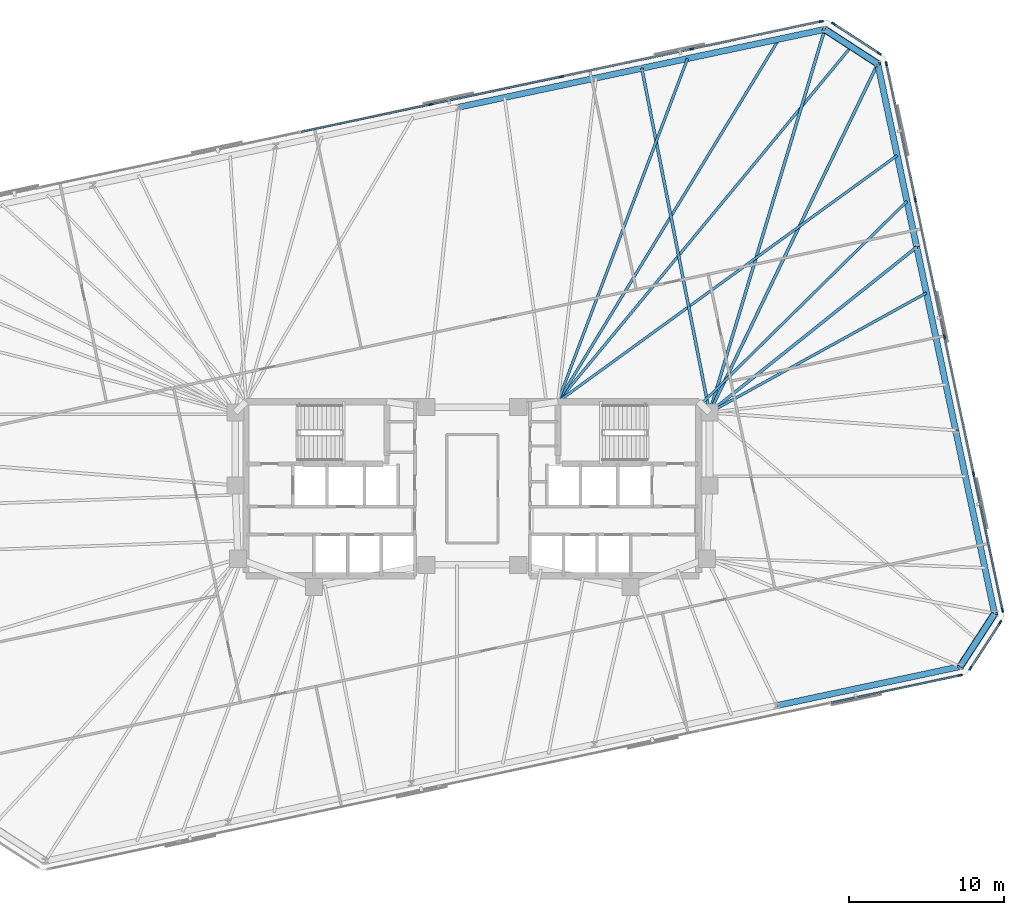
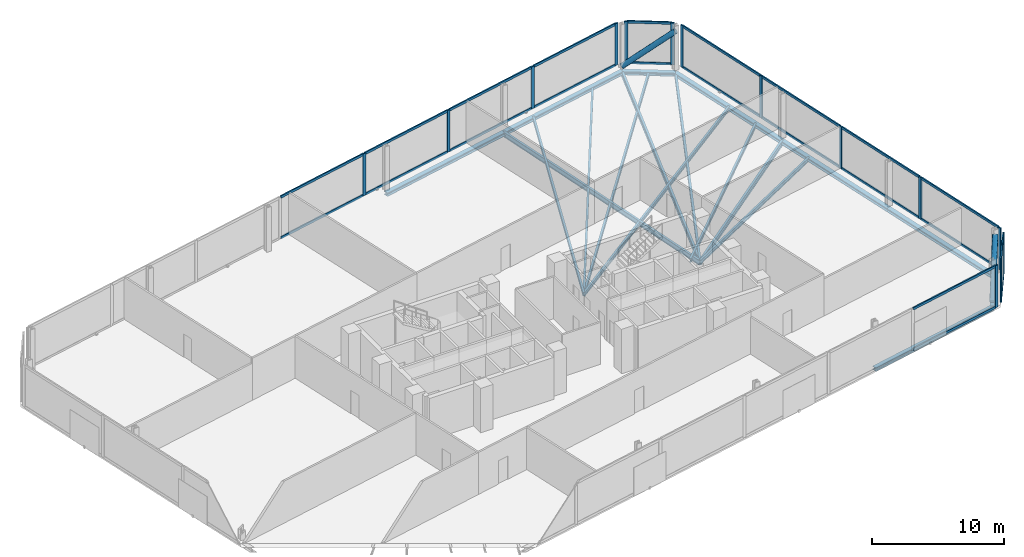
# One storey, part 9 of 15: 38 members, 18 beams, 5 elements without a shape of their own.
"""IFC4 building model written with IfcOpenShell, lengths in metres."""

from ifc_helpers import new_model, si_unit, direction, frame, origin, origin_2d, place, context, subcontext, project, spatial, rectangle, hollow_circle, i_section, extrude, material, material_profile, profile_set, type_object, element, aggregate, save


model = new_model("IFC4")

# Units and contexts
model_context = context("Model", 3, precision=1e-05, world=origin(), true_north=direction((0.0, 1.0)))
body_context = subcontext(model_context, "Body", "Model", "MODEL_VIEW")
ifc_project = project(units=[si_unit("LENGTHUNIT", "METRE"), si_unit("AREAUNIT", "SQUARE_METRE"), si_unit("VOLUMEUNIT", "CUBIC_METRE"), si_unit("PLANEANGLEUNIT", "RADIAN"), si_unit("MASSUNIT", "GRAM", prefix="KILO")], contexts=[model_context])

# Site, building, storey
site_placement = place(None, origin())
site = spatial("IfcSite", under=ifc_project, at=site_placement, CompositionType="ELEMENT")
building_placement = place(site_placement, origin())
building = spatial("IfcBuilding", under=site, at=building_placement, Name="Menara Jurai Vektor", CompositionType="ELEMENT")
storey_placement = place(building_placement, frame((0.0, 0.0, 147.300048828125)))
storey = spatial("IfcBuildingStorey", under=building, at=storey_placement, Name="L37", CompositionType="ELEMENT", Elevation=147.300048828125)

# Curtain wall, member
ifc_material_1 = material(Name="Anodised Pale Aluminium & Low-E Double Glazing", Category="aluminium")
curtain_wall_type = type_object("IfcCurtainWallType", Name="CW-SKY", PredefinedType="NOTDEFINED", material=ifc_material_1)
curtain_wall_1_placement = place(storey_placement, origin())
curtain_wall_1 = element("IfcCurtainWall", 1, at=curtain_wall_1_placement, inside=storey, type_object=curtain_wall_type, Name="Unitised Curtain Wall L37 F01", PredefinedType="NOTDEFINED")
ifc_material_2 = material(Name="Anodised Pale Aluminium Mullion", Category="aluminium")
ifc_material_profile_1 = material_profile(ifc_material_2, rectangle(XDim=0.110107421875, YDim=0.280029296875, at=origin_2d()), Name="ALU MUL 110x280")
ifc_profile_set_1 = profile_set([ifc_material_profile_1], Name="Anodised Pale Aluminium Mullion")
member_type_1 = type_object("IfcMemberType", Name="CW-SKY-MUL", PredefinedType="MULLION", material=ifc_profile_set_1)
member_1_placement = place(storey_placement, frame((31.38037109375, -12.000244140625, 0.0), z_axis=(0.0, 0.0, 1.0), x_axis=(-0.207911344156, 0.978147674419, 0.0)))
member_1 = element("IfcMember", 2, at=member_1_placement, type_object=member_type_1, Name="CW-06 mullion 8", PredefinedType="MULLION", context=body_context, shape_type="SweptSolid", body=[
    extrude(rectangle(XDim=0.110107421875, YDim=0.280029296875, at=origin_2d()), origin(), (0.0, 0.0, 1.0), 3.875),
])

# Curtain wall, members
curtain_wall_2_placement = place(storey_placement, origin())
curtain_wall_2 = element("IfcCurtainWall", 3, at=curtain_wall_2_placement, inside=storey, type_object=curtain_wall_type, Name="Unitised Curtain Wall L37 F02", PredefinedType="NOTDEFINED")
member_2_placement = place(storey_placement, frame((32.042724609375, -11.544921875, 0.0), z_axis=(0.0, 0.0, 1.0), x_axis=(-0.838684361415, 0.544617794346, 0.0)))
member_2 = element("IfcMember", 4, at=member_2_placement, type_object=member_type_1, Name="CW-06 mullion 1", PredefinedType="MULLION", context=body_context, shape_type="SweptSolid", body=[
    extrude(rectangle(XDim=0.110107421875, YDim=0.280029296875, at=origin_2d()), origin(), (0.0, 0.0, 1.0), 3.875),
])
member_3_placement = place(storey_placement, frame((33.95654296875, -8.59765625, 0.0), z_axis=(0.0, 0.0, 1.0), x_axis=(-0.838684361415, 0.544617794346, 0.0)))
member_3 = element("IfcMember", 5, at=member_3_placement, type_object=member_type_1, Name="CW-06 mullion 2", PredefinedType="MULLION", context=body_context, shape_type="SweptSolid", body=[
    extrude(rectangle(XDim=0.110107421875, YDim=0.280029296875, at=origin_2d()), origin(), (0.0, 0.0, 1.0), 3.875),
])

curtain_wall_3_placement = place(storey_placement, origin())
curtain_wall_3 = element("IfcCurtainWall", 6, at=curtain_wall_3_placement, inside=storey, type_object=curtain_wall_type, Name="Unitised Curtain Wall L37 F03", PredefinedType="NOTDEFINED")
member_4_placement = place(storey_placement, frame((34.10302734375, -7.807373046875, 0.0), z_axis=(0.0, 0.0, 1.0), x_axis=(-0.978147883949, -0.20791035839, 0.0)))
member_4 = element("IfcMember", 7, at=member_4_placement, type_object=member_type_1, Name="CW-06 mullion 1", PredefinedType="MULLION", context=body_context, shape_type="SweptSolid", body=[
    extrude(rectangle(XDim=0.110107421875, YDim=0.280029296875, at=origin_2d()), origin(), (0.0, 0.0, 1.0), 3.875),
])
member_5_placement = place(storey_placement, frame((32.2412109375, 0.951904296875, 0.0), z_axis=(0.0, 0.0, 1.0), x_axis=(-0.978147883949, -0.20791035839, 0.0)))
member_5 = element("IfcMember", 8, at=member_5_placement, type_object=member_type_1, Name="CW-06 mullion 2", PredefinedType="MULLION", context=body_context, shape_type="SweptSolid", body=[
    extrude(rectangle(XDim=0.110107421875, YDim=0.280029296875, at=origin_2d()), origin(), (0.0, 0.0, 1.0), 3.875),
])
member_6_placement = place(storey_placement, frame((30.367919921875, 9.76513671875, 0.0), z_axis=(0.0, 0.0, 1.0), x_axis=(-0.978147883949, -0.20791035839, 0.0)))
member_6 = element("IfcMember", 9, at=member_6_placement, type_object=member_type_1, Name="CW-06 mullion 3", PredefinedType="MULLION", context=body_context, shape_type="SweptSolid", body=[
    extrude(rectangle(XDim=0.110107421875, YDim=0.280029296875, at=origin_2d()), origin(), (0.0, 0.0, 1.0), 3.875),
])
member_7_placement = place(storey_placement, frame((28.49462890625, 18.578125, 0.0), z_axis=(0.0, 0.0, 1.0), x_axis=(-0.978147883949, -0.20791035839, 0.0)))
member_7 = element("IfcMember", 10, at=member_7_placement, type_object=member_type_1, Name="CW-06 mullion 4", PredefinedType="MULLION", context=body_context, shape_type="SweptSolid", body=[
    extrude(rectangle(XDim=0.110107421875, YDim=0.280029296875, at=origin_2d()), origin(), (0.0, 0.0, 1.0), 3.875),
])
member_8_placement = place(storey_placement, frame((26.6328125, 27.33740234375, 0.0), z_axis=(0.0, 0.0, 1.0), x_axis=(-0.978147883949, -0.20791035839, 0.0)))
member_8 = element("IfcMember", 11, at=member_8_placement, type_object=member_type_1, Name="CW-06 mullion 5", PredefinedType="MULLION", context=body_context, shape_type="SweptSolid", body=[
    extrude(rectangle(XDim=0.110107421875, YDim=0.280029296875, at=origin_2d()), origin(), (0.0, 0.0, 1.0), 3.875),
])

curtain_wall_4_placement = place(storey_placement, origin())
curtain_wall_4 = element("IfcCurtainWall", 12, at=curtain_wall_4_placement, inside=storey, type_object=curtain_wall_type, Name="Unitised Curtain Wall L37 F04", PredefinedType="NOTDEFINED")
member_9_placement = place(storey_placement, frame((26.177490234375, 28.0, 0.0), z_axis=(0.0, 0.0, 1.0), x_axis=(-0.544617794346, -0.838684361415, 0.0)))
member_9 = element("IfcMember", 13, at=member_9_placement, type_object=member_type_1, Name="CW-06 mullion 1", PredefinedType="MULLION", context=body_context, shape_type="SweptSolid", body=[
    extrude(rectangle(XDim=0.110107421875, YDim=0.280029296875, at=origin_2d()), origin(), (0.0, 0.0, 1.0), 3.875),
])
member_10_placement = place(storey_placement, frame((23.23046875, 29.913818359375, 0.0), z_axis=(0.0, 0.0, 1.0), x_axis=(-0.544617794346, -0.838684361415, 0.0)))
member_10 = element("IfcMember", 14, at=member_10_placement, type_object=member_type_1, Name="CW-06 mullion 2", PredefinedType="MULLION", context=body_context, shape_type="SweptSolid", body=[
    extrude(rectangle(XDim=0.110107421875, YDim=0.280029296875, at=origin_2d()), origin(), (0.0, 0.0, 1.0), 3.875),
])

curtain_wall_5_placement = place(storey_placement, origin())
curtain_wall_5 = element("IfcCurtainWall", 15, at=curtain_wall_5_placement, inside=storey, type_object=curtain_wall_type, Name="Unitised Curtain Wall L37 F05", PredefinedType="NOTDEFINED")
member_11_placement = place(storey_placement, frame((22.440185546875, 30.060302734375, 0.0), z_axis=(0.0, 0.0, 1.0), x_axis=(0.207911344156, -0.978147674419, 0.0)))
member_11 = element("IfcMember", 16, at=member_11_placement, type_object=member_type_1, Name="CW-06 mullion 1", PredefinedType="MULLION", context=body_context, shape_type="SweptSolid", body=[
    extrude(rectangle(XDim=0.110107421875, YDim=0.280029296875, at=origin_2d()), origin(), (0.0, 0.0, 1.0), 3.875),
])
member_12_placement = place(storey_placement, frame((14.104248046875, 28.288330078125, 0.0), z_axis=(0.0, 0.0, 1.0), x_axis=(0.207911344156, -0.978147674419, 0.0)))
member_12 = element("IfcMember", 17, at=member_12_placement, type_object=member_type_1, Name="CW-06 mullion 2", PredefinedType="MULLION", context=body_context, shape_type="SweptSolid", body=[
    extrude(rectangle(XDim=0.110107421875, YDim=0.280029296875, at=origin_2d()), origin(), (0.0, 0.0, 1.0), 3.875),
])
member_13_placement = place(storey_placement, frame((5.71435546875, 26.505126953125, 0.0), z_axis=(0.0, 0.0, 1.0), x_axis=(0.207911344156, -0.978147674419, 0.0)))
member_13 = element("IfcMember", 18, at=member_13_placement, type_object=member_type_1, Name="CW-06 mullion 3", PredefinedType="MULLION", context=body_context, shape_type="SweptSolid", body=[
    extrude(rectangle(XDim=0.110107421875, YDim=0.280029296875, at=origin_2d()), origin(), (0.0, 0.0, 1.0), 3.875),
])
member_14_placement = place(storey_placement, frame((-2.67529296875, 24.721923828125, 0.0), z_axis=(0.0, 0.0, 1.0), x_axis=(0.207911344156, -0.978147674419, 0.0)))
member_14 = element("IfcMember", 19, at=member_14_placement, type_object=member_type_1, Name="CW-06 mullion 4", PredefinedType="MULLION", context=body_context, shape_type="SweptSolid", body=[
    extrude(rectangle(XDim=0.110107421875, YDim=0.280029296875, at=origin_2d()), origin(), (0.0, 0.0, 1.0), 3.875),
])

# Member
ifc_material_3 = material(Name="Anodised Pale Aluminium Transom", Category="aluminium")
ifc_material_profile_2 = material_profile(ifc_material_3, rectangle(XDim=0.110107421875, YDim=0.219970703125, at=origin_2d()), Name="ALU TRN 110x220")
ifc_profile_set_2 = profile_set([ifc_material_profile_2], Name="Anodised Pale Aluminium Transom")
member_type_2 = type_object("IfcMemberType", Name="CW-SKY-TRN", PredefinedType="USERDEFINED", material=ifc_profile_set_2)
member_15_placement = place(storey_placement, frame((23.09814453125, -13.760498046875, 0.054931640625), z_axis=(0.978146383658, 0.207917416625, 0.0), x_axis=(-0.207917416625, 0.978146383658, 0.0)))
member_15 = element("IfcMember", 20, at=member_15_placement, type_object=member_type_2, Name="CW-06 transom 7.1", ObjectType="TRANSOM", PredefinedType="USERDEFINED", context=body_context, shape_type="SweptSolid", body=[
    extrude(rectangle(XDim=0.110107421875, YDim=0.219970703125, at=origin_2d()), origin(), (0.0, 0.0, 1.0), 8.412109375),
])

member_16_placement = place(storey_placement, frame((23.09814453125, -13.760498046875, 3.820068359375), z_axis=(0.978146383658, 0.207917416625, 0.0), x_axis=(-0.207917416625, 0.978146383658, 0.0)))
member_16 = element("IfcMember", 21, at=member_16_placement, type_object=member_type_2, Name="CW-06 transom 7.2", ObjectType="TRANSOM", PredefinedType="USERDEFINED", context=body_context, shape_type="SweptSolid", body=[
    extrude(rectangle(XDim=0.110107421875, YDim=0.219970703125, at=origin_2d()), origin(), (0.0, 0.0, 1.0), 8.412109375),
])

aggregate(curtain_wall_1, [member_1, member_15, member_16])

member_17_placement = place(storey_placement, frame((32.07275390625, -11.498779296875, 0.054931640625), z_axis=(0.544579890449, 0.838708973911, 0.0), x_axis=(-0.838708973911, 0.544579890449, 0.0)))
member_17 = element("IfcMember", 22, at=member_17_placement, type_object=member_type_2, Name="CW-06 transom 1.1", ObjectType="TRANSOM", PredefinedType="USERDEFINED", context=body_context, shape_type="SweptSolid", body=[
    extrude(rectangle(XDim=0.110107421875, YDim=0.219970703125, at=origin_2d()), origin(), (0.0, 0.0, 1.0), 3.404052734375),
])

member_18_placement = place(storey_placement, frame((32.07275390625, -11.498779296875, 3.820068359375), z_axis=(0.544579890449, 0.838708973911, 0.0), x_axis=(-0.838708973911, 0.544579890449, 0.0)))
member_18 = element("IfcMember", 23, at=member_18_placement, type_object=member_type_2, Name="CW-06 transom 1.2", ObjectType="TRANSOM", PredefinedType="USERDEFINED", context=body_context, shape_type="SweptSolid", body=[
    extrude(rectangle(XDim=0.110107421875, YDim=0.219970703125, at=origin_2d()), origin(), (0.0, 0.0, 1.0), 3.404052734375),
])

aggregate(curtain_wall_2, [member_2, member_3, member_17, member_18])

member_19_placement = place(storey_placement, frame((34.091552734375, -7.753662109375, 0.054931640625), z_axis=(-0.207896388791, 0.978150853155, 0.0), x_axis=(-0.978150853155, -0.207896388791, 0.0)))
member_19 = element("IfcMember", 24, at=member_19_placement, type_object=member_type_2, Name="CW-06 transom 1.1", ObjectType="TRANSOM", PredefinedType="USERDEFINED", context=body_context, shape_type="SweptSolid", body=[
    extrude(rectangle(XDim=0.110107421875, YDim=0.219970703125, at=origin_2d()), origin(), (0.0, 0.0, 1.0), 8.84521484375),
])

member_20_placement = place(storey_placement, frame((34.091552734375, -7.753662109375, 3.820068359375), z_axis=(-0.207896388791, 0.978150853155, 0.0), x_axis=(-0.978150853155, -0.207896388791, 0.0)))
member_20 = element("IfcMember", 25, at=member_20_placement, type_object=member_type_2, Name="CW-06 transom 1.2", ObjectType="TRANSOM", PredefinedType="USERDEFINED", context=body_context, shape_type="SweptSolid", body=[
    extrude(rectangle(XDim=0.110107421875, YDim=0.219970703125, at=origin_2d()), origin(), (0.0, 0.0, 1.0), 8.84521484375),
])

member_21_placement = place(storey_placement, frame((32.229736328125, 1.005615234375, 0.054931640625), z_axis=(-0.207902718056, 0.97814950791, 0.0), x_axis=(-0.97814950791, -0.207902718056, 0.0)))
member_21 = element("IfcMember", 26, at=member_21_placement, type_object=member_type_2, Name="CW-06 transom 2.1", ObjectType="TRANSOM", PredefinedType="USERDEFINED", context=body_context, shape_type="SweptSolid", body=[
    extrude(rectangle(XDim=0.110107421875, YDim=0.219970703125, at=origin_2d()), origin(), (0.0, 0.0, 1.0), 8.900146484375),
])

member_22_placement = place(storey_placement, frame((32.229736328125, 1.005615234375, 3.820068359375), z_axis=(-0.207902718056, 0.97814950791, 0.0), x_axis=(-0.97814950791, -0.207902718056, 0.0)))
member_22 = element("IfcMember", 27, at=member_22_placement, type_object=member_type_2, Name="CW-06 transom 2.2", ObjectType="TRANSOM", PredefinedType="USERDEFINED", context=body_context, shape_type="SweptSolid", body=[
    extrude(rectangle(XDim=0.110107421875, YDim=0.219970703125, at=origin_2d()), origin(), (0.0, 0.0, 1.0), 8.900146484375),
])

member_23_placement = place(storey_placement, frame((30.3564453125, 9.81884765625, 0.054931640625), z_axis=(-0.207902718056, 0.97814950791, 0.0), x_axis=(-0.97814950791, -0.207902718056, 0.0)))
member_23 = element("IfcMember", 28, at=member_23_placement, type_object=member_type_2, Name="CW-06 transom 3.1", ObjectType="TRANSOM", PredefinedType="USERDEFINED", context=body_context, shape_type="SweptSolid", body=[
    extrude(rectangle(XDim=0.110107421875, YDim=0.219970703125, at=origin_2d()), origin(), (0.0, 0.0, 1.0), 8.900146484375),
])

member_24_placement = place(storey_placement, frame((30.3564453125, 9.81884765625, 3.820068359375), z_axis=(-0.207902718056, 0.97814950791, 0.0), x_axis=(-0.97814950791, -0.207902718056, 0.0)))
member_24 = element("IfcMember", 29, at=member_24_placement, type_object=member_type_2, Name="CW-06 transom 3.2", ObjectType="TRANSOM", PredefinedType="USERDEFINED", context=body_context, shape_type="SweptSolid", body=[
    extrude(rectangle(XDim=0.110107421875, YDim=0.219970703125, at=origin_2d()), origin(), (0.0, 0.0, 1.0), 8.900146484375),
])

member_25_placement = place(storey_placement, frame((28.483154296875, 18.632080078125, 0.054931640625), z_axis=(-0.207902001866, 0.978149660134, 0.0), x_axis=(-0.978149660134, -0.207902001866, 0.0)))
member_25 = element("IfcMember", 30, at=member_25_placement, type_object=member_type_2, Name="CW-06 transom 4.1", ObjectType="TRANSOM", PredefinedType="USERDEFINED", context=body_context, shape_type="SweptSolid", body=[
    extrude(rectangle(XDim=0.110107421875, YDim=0.219970703125, at=origin_2d()), origin(), (0.0, 0.0, 1.0), 8.844970703125),
])

member_26_placement = place(storey_placement, frame((28.483154296875, 18.632080078125, 3.820068359375), z_axis=(-0.207902001866, 0.978149660134, 0.0), x_axis=(-0.978149660134, -0.207902001866, 0.0)))
member_26 = element("IfcMember", 31, at=member_26_placement, type_object=member_type_2, Name="CW-06 transom 4.2", ObjectType="TRANSOM", PredefinedType="USERDEFINED", context=body_context, shape_type="SweptSolid", body=[
    extrude(rectangle(XDim=0.110107421875, YDim=0.219970703125, at=origin_2d()), origin(), (0.0, 0.0, 1.0), 8.844970703125),
])

aggregate(curtain_wall_3, [member_4, member_5, member_6, member_7, member_8, member_19, member_20, member_21, member_22, member_23, member_24, member_25, member_26])

member_27_placement = place(storey_placement, frame((26.13134765625, 28.030029296875, 0.054931640625), z_axis=(-0.8386877018, 0.544612650284, 0.0), x_axis=(-0.544612650284, -0.8386877018, 0.0)))
member_27 = element("IfcMember", 32, at=member_27_placement, type_object=member_type_2, Name="CW-06 transom 1.1", ObjectType="TRANSOM", PredefinedType="USERDEFINED", context=body_context, shape_type="SweptSolid", body=[
    extrude(rectangle(XDim=0.110107421875, YDim=0.219970703125, at=origin_2d()), origin(), (0.0, 0.0, 1.0), 3.40380859375),
])

member_28_placement = place(storey_placement, frame((26.13134765625, 28.030029296875, 3.820068359375), z_axis=(-0.8386877018, 0.544612650284, 0.0), x_axis=(-0.544612650284, -0.8386877018, 0.0)))
member_28 = element("IfcMember", 33, at=member_28_placement, type_object=member_type_2, Name="CW-06 transom 1.2", ObjectType="TRANSOM", PredefinedType="USERDEFINED", context=body_context, shape_type="SweptSolid", body=[
    extrude(rectangle(XDim=0.110107421875, YDim=0.219970703125, at=origin_2d()), origin(), (0.0, 0.0, 1.0), 3.40380859375),
])

aggregate(curtain_wall_4, [member_9, member_10, member_27, member_28])

member_29_placement = place(storey_placement, frame((22.38623046875, 30.048828125, 0.054931640625), z_axis=(-0.978146383658, -0.207917416625, 0.0), x_axis=(0.207917416625, -0.978146383658, 0.0)))
member_29 = element("IfcMember", 34, at=member_29_placement, type_object=member_type_2, Name="CW-06 transom 1.1", ObjectType="TRANSOM", PredefinedType="USERDEFINED", context=body_context, shape_type="SweptSolid", body=[
    extrude(rectangle(XDim=0.110107421875, YDim=0.219970703125, at=origin_2d()), origin(), (0.0, 0.0, 1.0), 8.412109375),
])

member_30_placement = place(storey_placement, frame((22.38623046875, 30.048828125, 3.820068359375), z_axis=(-0.978146383658, -0.207917416625, 0.0), x_axis=(0.207917416625, -0.978146383658, 0.0)))
member_30 = element("IfcMember", 35, at=member_30_placement, type_object=member_type_2, Name="CW-06 transom 1.2", ObjectType="TRANSOM", PredefinedType="USERDEFINED", context=body_context, shape_type="SweptSolid", body=[
    extrude(rectangle(XDim=0.110107421875, YDim=0.219970703125, at=origin_2d()), origin(), (0.0, 0.0, 1.0), 8.412109375),
])

member_31_placement = place(storey_placement, frame((14.05029296875, 28.277099609375, 0.054931640625), z_axis=(-0.978144998468, -0.207923933141, 0.0), x_axis=(0.207923933141, -0.978144998468, 0.0)))
member_31 = element("IfcMember", 36, at=member_31_placement, type_object=member_type_2, Name="CW-06 transom 2.1", ObjectType="TRANSOM", PredefinedType="USERDEFINED", context=body_context, shape_type="SweptSolid", body=[
    extrude(rectangle(XDim=0.110107421875, YDim=0.219970703125, at=origin_2d()), origin(), (0.0, 0.0, 1.0), 8.467041015625),
])

member_32_placement = place(storey_placement, frame((14.05029296875, 28.277099609375, 3.820068359375), z_axis=(-0.978144998468, -0.207923933141, 0.0), x_axis=(0.207923933141, -0.978144998468, 0.0)))
member_32 = element("IfcMember", 37, at=member_32_placement, type_object=member_type_2, Name="CW-06 transom 2.2", ObjectType="TRANSOM", PredefinedType="USERDEFINED", context=body_context, shape_type="SweptSolid", body=[
    extrude(rectangle(XDim=0.110107421875, YDim=0.219970703125, at=origin_2d()), origin(), (0.0, 0.0, 1.0), 8.467041015625),
])

member_33_placement = place(storey_placement, frame((5.66064453125, 26.49365234375, 0.054931640625), z_axis=(-0.978150862421, -0.207896345195, 0.0), x_axis=(0.207896345195, -0.978150862421, 0.0)))
member_33 = element("IfcMember", 38, at=member_33_placement, type_object=member_type_2, Name="CW-06 transom 3.1", ObjectType="TRANSOM", PredefinedType="USERDEFINED", context=body_context, shape_type="SweptSolid", body=[
    extrude(rectangle(XDim=0.110107421875, YDim=0.219970703125, at=origin_2d()), origin(), (0.0, 0.0, 1.0), 8.467041015625),
])

member_34_placement = place(storey_placement, frame((5.66064453125, 26.49365234375, 3.820068359375), z_axis=(-0.978150862421, -0.207896345195, 0.0), x_axis=(0.207896345195, -0.978150862421, 0.0)))
member_34 = element("IfcMember", 39, at=member_34_placement, type_object=member_type_2, Name="CW-06 transom 3.2", ObjectType="TRANSOM", PredefinedType="USERDEFINED", context=body_context, shape_type="SweptSolid", body=[
    extrude(rectangle(XDim=0.110107421875, YDim=0.219970703125, at=origin_2d()), origin(), (0.0, 0.0, 1.0), 8.467041015625),
])

member_35_placement = place(storey_placement, frame((-2.72900390625, 24.71044921875, 0.054931640625), z_axis=(-0.978146244988, -0.207918068996, 0.0), x_axis=(0.207918068996, -0.978146244988, 0.0)))
member_35 = element("IfcMember", 40, at=member_35_placement, type_object=member_type_2, Name="CW-06 transom 4.1", ObjectType="TRANSOM", PredefinedType="USERDEFINED", context=body_context, shape_type="SweptSolid", body=[
    extrude(rectangle(XDim=0.110107421875, YDim=0.219970703125, at=origin_2d()), origin(), (0.0, 0.0, 1.0), 8.46728515625),
])

member_36_placement = place(storey_placement, frame((-2.72900390625, 24.71044921875, 3.820068359375), z_axis=(-0.978146244988, -0.207918068996, 0.0), x_axis=(0.207918068996, -0.978146244988, 0.0)))
member_36 = element("IfcMember", 41, at=member_36_placement, type_object=member_type_2, Name="CW-06 transom 4.2", ObjectType="TRANSOM", PredefinedType="USERDEFINED", context=body_context, shape_type="SweptSolid", body=[
    extrude(rectangle(XDim=0.110107421875, YDim=0.219970703125, at=origin_2d()), origin(), (0.0, 0.0, 1.0), 8.46728515625),
])

aggregate(curtain_wall_5, [member_11, member_12, member_13, member_14, member_29, member_30, member_31, member_32, member_33, member_34, member_35, member_36])

# Beams
ifc_material_4 = material(Name="Steel S355", Category="steel")
ifc_material_profile_3 = material_profile(ifc_material_4, i_section(OverallWidth=0.19091796875, OverallDepth=0.4599609375, WebThickness=0.010009765625, FlangeThickness=0.01611328125, FilletRadius=0.010009765625, at=origin_2d()), Name="UKB 457x191x82")
ifc_profile_set_3 = profile_set([ifc_material_profile_3], Name="Steel S355")
beam_type_1 = type_object("IfcBeamType", Name="STR-BM-457", PredefinedType="BEAM", material=ifc_profile_set_3)
beam_1_placement = place(storey_placement, frame((28.5771484375, 15.544921875, -0.47998046875), z_axis=(-0.781346163898, -0.624097886683, 0.0), x_axis=(0.624097886683, -0.781346163898, 0.0)))
element("IfcBeam", 42, at=beam_1_placement, inside=storey, type_object=beam_type_1, Name="Radial Floor Girder L37-E3", PredefinedType="BEAM", context=body_context, shape_type="SweptSolid", body=[
    extrude(i_section(OverallWidth=0.19091796875, OverallDepth=0.4599609375, WebThickness=0.010009765625, FlangeThickness=0.01611328125, FilletRadius=0.010009765625, at=origin_2d()), origin(), (0.0, 0.0, 1.0), 17.056640625),
])
beam_2_placement = place(storey_placement, frame((26.0712890625, 27.33349609375, -0.47998046875), z_axis=(-0.434465059539, -0.900688687639, 0.0), x_axis=(0.900688687639, -0.434465059539, 0.0)))
element("IfcBeam", 43, at=beam_2_placement, inside=storey, type_object=beam_type_1, Name="Radial Floor Girder L37-E4", PredefinedType="BEAM", context=body_context, shape_type="SweptSolid", body=[
    extrude(i_section(OverallWidth=0.19091796875, OverallDepth=0.4599609375, WebThickness=0.010009765625, FlangeThickness=0.01611328125, FilletRadius=0.010009765625, at=origin_2d()), origin(), (0.0, 0.0, 1.0), 24.9072265625),
])
beam_3_placement = place(storey_placement, frame((22.664794921875, 29.545654296875, -0.47998046875), z_axis=(-0.288098843548, -0.957600676872, 0.0), x_axis=(0.957600676872, -0.288098843548, 0.0)))
element("IfcBeam", 44, at=beam_3_placement, inside=storey, type_object=beam_type_1, Name="Radial Floor Girder L37-N1", PredefinedType="BEAM", context=body_context, shape_type="SweptSolid", body=[
    extrude(i_section(OverallWidth=0.19091796875, OverallDepth=0.4599609375, WebThickness=0.010009765625, FlangeThickness=0.01611328125, FilletRadius=0.010009765625, at=origin_2d()), origin(), (0.0, 0.0, 1.0), 25.737060546875),
])
beam_4_placement = place(storey_placement, frame((10.896484375, 27.044189453125, -0.47998046875), z_axis=(0.192905075816, -0.981217423268, 0.0), x_axis=(0.981217423268, 0.192905075816, 0.0)))
element("IfcBeam", 45, at=beam_4_placement, inside=storey, type_object=beam_type_1, Name="Radial Floor Girder L37-N2", PredefinedType="BEAM", context=body_context, shape_type="SweptSolid", body=[
    extrude(i_section(OverallWidth=0.19091796875, OverallDepth=0.4599609375, WebThickness=0.010009765625, FlangeThickness=0.01611328125, FilletRadius=0.010009765625, at=origin_2d()), origin(), (0.0, 0.0, 1.0), 22.568115234375),
])
ifc_material_5 = material(Name="Steel S460", Category="steel")
ifc_material_profile_4 = material_profile(ifc_material_5, i_section(OverallWidth=0.39697265625, OverallDepth=0.31591796875, WebThickness=0.030029296875, FlangeThickness=0.048095703125, FilletRadius=0.014892578125, at=origin_2d()), Name="HD 400x382")
ifc_profile_set_4 = profile_set([ifc_material_profile_4], Name="Steel S460")
beam_type_2 = type_object("IfcBeamType", Name="STR-BM-CHORD382", PredefinedType="SPANDREL", material=ifc_profile_set_4)
beam_5_placement = place(storey_placement, frame((19.608154296875, -13.940185546875, -0.407958984375), z_axis=(0.97814616202, 0.207918459318, 0.0), x_axis=(-0.207918459318, 0.97814616202, 0.0)))
element("IfcBeam", 46, at=beam_5_placement, inside=storey, type_object=beam_type_2, Name="Exoskeleton Spandrel Beam L37-05", PredefinedType="SPANDREL", context=body_context, shape_type="SweptSolid", body=[
    extrude(i_section(OverallWidth=0.39697265625, OverallDepth=0.31591796875, WebThickness=0.030029296875, FlangeThickness=0.048095703125, FilletRadius=0.014892578125, at=origin_2d()), origin(), (0.0, 0.0, 1.0), 12.031005859375),
])
beam_6_placement = place(storey_placement, frame((31.376220703125, -11.438720703125, -0.407958984375), z_axis=(0.544646071268, 0.838665998507, 0.0), x_axis=(-0.838665998507, 0.544646071268, 0.0)))
element("IfcBeam", 47, at=beam_6_placement, inside=storey, type_object=beam_type_2, Name="Exoskeleton Spandrel Beam L37-06", PredefinedType="SPANDREL", context=body_context, shape_type="SweptSolid", body=[
    extrude(i_section(OverallWidth=0.39697265625, OverallDepth=0.31591796875, WebThickness=0.030029296875, FlangeThickness=0.048095703125, FilletRadius=0.014892578125, at=origin_2d()), origin(), (0.0, 0.0, 1.0), 4.06201171875),
])
beam_7_placement = place(storey_placement, frame((33.588623046875, -8.031982421875, -0.407958984375), z_axis=(-0.207925382659, 0.978144690343, 0.0), x_axis=(-0.978144690343, -0.207925382659, 0.0)))
element("IfcBeam", 48, at=beam_7_placement, inside=storey, type_object=beam_type_2, Name="Exoskeleton Spandrel Beam L37-07", PredefinedType="SPANDREL", context=body_context, shape_type="SweptSolid", body=[
    extrude(i_section(OverallWidth=0.39697265625, OverallDepth=0.31591796875, WebThickness=0.030029296875, FlangeThickness=0.048095703125, FilletRadius=0.014892578125, at=origin_2d()), origin(), (0.0, 0.0, 1.0), 12.0517578125),
])
for number, where, z_axis, x_axis, name in (
    (49, (31.082763671875, 3.75634765625, -0.407958984375), (-0.207901880993, 0.978149685825, 0.0), (-0.978149685825, -0.207901880993, 0.0), "Exoskeleton Spandrel Beam L37-08"),
    (50, (28.5771484375, 15.544921875, -0.407958984375), (-0.207921262698, 0.978145566119, 0.0), (-0.978145566119, -0.207921262698, 0.0), "Exoskeleton Spandrel Beam L37-09"),
):
    element("IfcBeam", number, at=place(storey_placement, frame(where, z_axis=z_axis, x_axis=x_axis)), inside=storey, type_object=beam_type_2, Name=name, PredefinedType="SPANDREL", context=body_context, shape_type="SweptSolid", body=[
        extrude(i_section(OverallWidth=0.39697265625, OverallDepth=0.31591796875, WebThickness=0.030029296875, FlangeThickness=0.048095703125, FilletRadius=0.014892578125, at=origin_2d()), origin(), (0.0, 0.0, 1.0), 12.052001953125),
    ])
beam_8_placement = place(storey_placement, frame((26.0712890625, 27.33349609375, -0.407958984375), z_axis=(-0.838675623749, 0.544631249681, 0.0), x_axis=(-0.544631249681, -0.838675623749, 0.0)))
element("IfcBeam", 51, at=beam_8_placement, inside=storey, type_object=beam_type_2, Name="Exoskeleton Spandrel Beam L37-10", PredefinedType="SPANDREL", context=body_context, shape_type="SweptSolid", body=[
    extrude(i_section(OverallWidth=0.39697265625, OverallDepth=0.31591796875, WebThickness=0.030029296875, FlangeThickness=0.048095703125, FilletRadius=0.014892578125, at=origin_2d()), origin(), (0.0, 0.0, 1.0), 4.061767578125),
])
beam_9_placement = place(storey_placement, frame((22.664794921875, 29.545654296875, -0.407958984375), z_axis=(-0.978147039247, -0.207914332389, 0.0), x_axis=(0.207914332389, -0.978147039247, 0.0)))
element("IfcBeam", 52, at=beam_9_placement, inside=storey, type_object=beam_type_2, Name="Exoskeleton Spandrel Beam L37-11", PredefinedType="SPANDREL", context=body_context, shape_type="SweptSolid", body=[
    extrude(i_section(OverallWidth=0.39697265625, OverallDepth=0.31591796875, WebThickness=0.030029296875, FlangeThickness=0.048095703125, FilletRadius=0.014892578125, at=origin_2d()), origin(), (0.0, 0.0, 1.0), 12.03125),
])
beam_10_placement = place(storey_placement, frame((10.896484375, 27.044189453125, -0.407958984375), z_axis=(-0.978150288855, -0.207899043801, 0.0), x_axis=(0.207899043801, -0.978150288855, 0.0)))
element("IfcBeam", 53, at=beam_10_placement, inside=storey, type_object=beam_type_2, Name="Exoskeleton Spandrel Beam L37-12", PredefinedType="SPANDREL", context=body_context, shape_type="SweptSolid", body=[
    extrude(i_section(OverallWidth=0.39697265625, OverallDepth=0.31591796875, WebThickness=0.030029296875, FlangeThickness=0.048095703125, FilletRadius=0.014892578125, at=origin_2d()), origin(), (0.0, 0.0, 1.0), 12.031005859375),
])

# Members
ifc_material_profile_5 = material_profile(ifc_material_5, hollow_circle(Radius=0.228515625, WallThickness=0.01611328125, at=origin_2d()), Name="CHS 457x16")
ifc_profile_set_5 = profile_set([ifc_material_profile_5], Name="Steel S460")
member_type_3 = type_object("IfcMemberType", Name="STR-BR-457", PredefinedType="BRACE", material=ifc_profile_set_5)
member_37_placement = place(storey_placement, frame((31.376220703125, -11.438720703125, 0.14990234375), z_axis=(0.418919324271, 0.645067341743, 0.639057684696), x_axis=(-0.838665998507, 0.544646071268, 0.0)))
element("IfcMember", 54, at=member_37_placement, inside=storey, type_object=member_type_3, Name="Exoskeleton Corner Brace L37-1", PredefinedType="BRACE", context=body_context, shape_type="SweptSolid", body=[
    extrude(hollow_circle(Radius=0.228515625, WallThickness=0.01611328125, at=origin_2d()), origin(), (0.0, 0.0, 1.0), 5.28125),
])
member_38_placement = place(storey_placement, frame((22.664794921875, 29.545654296875, 0.14990234375), z_axis=(0.645052840657, -0.418893699505, 0.639089118415), x_axis=(0.544631249681, 0.838675623749, 0.0)))
element("IfcMember", 55, at=member_38_placement, inside=storey, type_object=member_type_3, Name="Exoskeleton Corner Brace L37-2", PredefinedType="BRACE", context=body_context, shape_type="SweptSolid", body=[
    extrude(hollow_circle(Radius=0.228515625, WallThickness=0.01611328125, at=origin_2d()), origin(), (0.0, 0.0, 1.0), 5.281005859375),
])

# Beams
ifc_material_profile_6 = material_profile(ifc_material_4, i_section(OverallWidth=0.172119140625, OverallDepth=0.35498046875, WebThickness=0.007080078125, FlangeThickness=0.011962890625, FilletRadius=0.010009765625, at=origin_2d()), Name="UKB 356x171x51")
ifc_profile_set_6 = profile_set([ifc_material_profile_6], Name="Steel S355")
beam_type_3 = type_object("IfcBeamType", Name="STR-JS-356", PredefinedType="JOIST", material=ifc_profile_set_6)
beam_11_placement = place(storey_placement, frame((29.20361328125, 12.597900390625, -0.427490234375), z_axis=(-0.875592207488, -0.483051018202, 0.0), x_axis=(0.483051018202, -0.875592207488, 0.0)))
element("IfcBeam", 56, at=beam_11_placement, inside=storey, type_object=beam_type_3, Name="Radial Secondary Floor Joist L37-JS14", PredefinedType="JOIST", context=body_context, shape_type="SweptSolid", body=[
    extrude(i_section(OverallWidth=0.172119140625, OverallDepth=0.35498046875, WebThickness=0.007080078125, FlangeThickness=0.011962890625, FilletRadius=0.010009765625, at=origin_2d()), origin(), (0.0, 0.0, 1.0), 15.936279296875),
])
beam_12_placement = place(storey_placement, frame((27.95068359375, 18.4921875, -0.427490234375), z_axis=(-0.712171791789, -0.702005227174, 0.0), x_axis=(0.702005227174, -0.712171791789, 0.0)))
element("IfcBeam", 57, at=beam_12_placement, inside=storey, type_object=beam_type_3, Name="Radial Secondary Floor Joist L37-JS15", PredefinedType="JOIST", context=body_context, shape_type="SweptSolid", body=[
    extrude(i_section(OverallWidth=0.172119140625, OverallDepth=0.35498046875, WebThickness=0.007080078125, FlangeThickness=0.011962890625, FilletRadius=0.010009765625, at=origin_2d()), origin(), (0.0, 0.0, 1.0), 18.5869140625),
])
beam_13_placement = place(storey_placement, frame((27.32421875, 21.439208984375, -0.427490234375), z_axis=(-0.809318640486, -0.587369847848, 0.0), x_axis=(0.587369847848, -0.809318640486, 0.0)))
element("IfcBeam", 58, at=beam_13_placement, inside=storey, type_object=beam_type_3, Name="Radial Secondary Floor Joist L37-JS16", PredefinedType="JOIST", context=body_context, shape_type="SweptSolid", body=[
    extrude(i_section(OverallWidth=0.172119140625, OverallDepth=0.35498046875, WebThickness=0.007080078125, FlangeThickness=0.011962890625, FilletRadius=0.010009765625, at=origin_2d()), origin(), (0.0, 0.0, 1.0), 26.966064453125),
])
beam_14_placement = place(storey_placement, frame((24.3681640625, 28.439697265625, -0.427490234375), z_axis=(-0.636894863934, -0.770950667873, 0.0), x_axis=(0.770950667873, -0.636894863934, 0.0)))
element("IfcBeam", 59, at=beam_14_placement, inside=storey, type_object=beam_type_3, Name="Radial Secondary Floor Joist L37-JS17", PredefinedType="JOIST", context=body_context, shape_type="SweptSolid", body=[
    extrude(i_section(OverallWidth=0.172119140625, OverallDepth=0.35498046875, WebThickness=0.007080078125, FlangeThickness=0.011962890625, FilletRadius=0.010009765625, at=origin_2d()), origin(), (0.0, 0.0, 1.0), 29.625244140625),
])
beam_15_placement = place(storey_placement, frame((19.72265625, 28.92041015625, -0.427490234375), z_axis=(-0.520686242997, -0.8537481106, 0.0), x_axis=(0.8537481106, -0.520686242997, 0.0)))
element("IfcBeam", 60, at=beam_15_placement, inside=storey, type_object=beam_type_3, Name="Radial Secondary Floor Joist L37-JS18", PredefinedType="JOIST", context=body_context, shape_type="SweptSolid", body=[
    extrude(i_section(OverallWidth=0.172119140625, OverallDepth=0.35498046875, WebThickness=0.007080078125, FlangeThickness=0.011962890625, FilletRadius=0.010009765625, at=origin_2d()), origin(), (0.0, 0.0, 1.0), 27.315185546875),
])
beam_16_placement = place(storey_placement, frame((13.838623046875, 27.669677734375, -0.427490234375), z_axis=(-0.353446048928, -0.935454910991, 0.0), x_axis=(0.935454910991, -0.353446048928, 0.0)))
element("IfcBeam", 61, at=beam_16_placement, inside=storey, type_object=beam_type_3, Name="Radial Secondary Floor Joist L37-JS19", PredefinedType="JOIST", context=body_context, shape_type="SweptSolid", body=[
    extrude(i_section(OverallWidth=0.172119140625, OverallDepth=0.35498046875, WebThickness=0.007080078125, FlangeThickness=0.011962890625, FilletRadius=0.010009765625, at=origin_2d()), origin(), (0.0, 0.0, 1.0), 23.59228515625),
])

save(model, "model.ifc")
